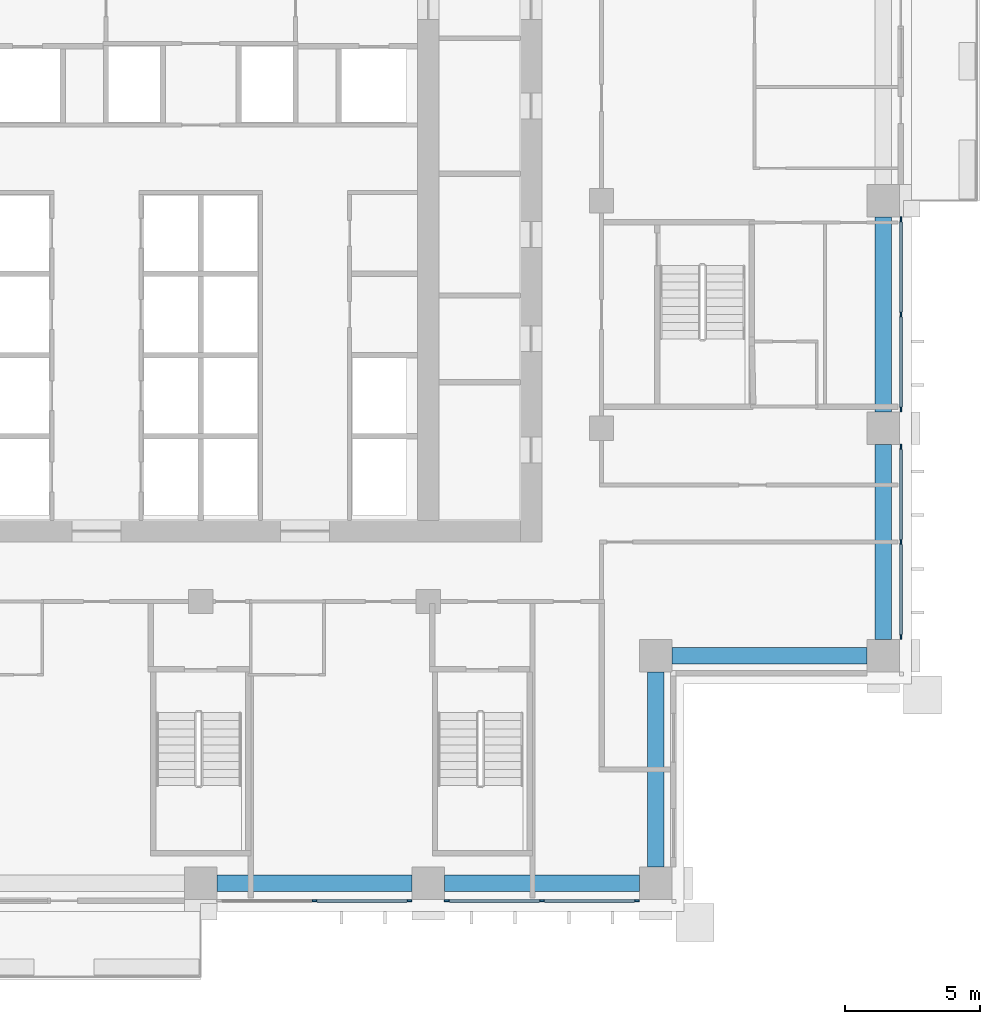
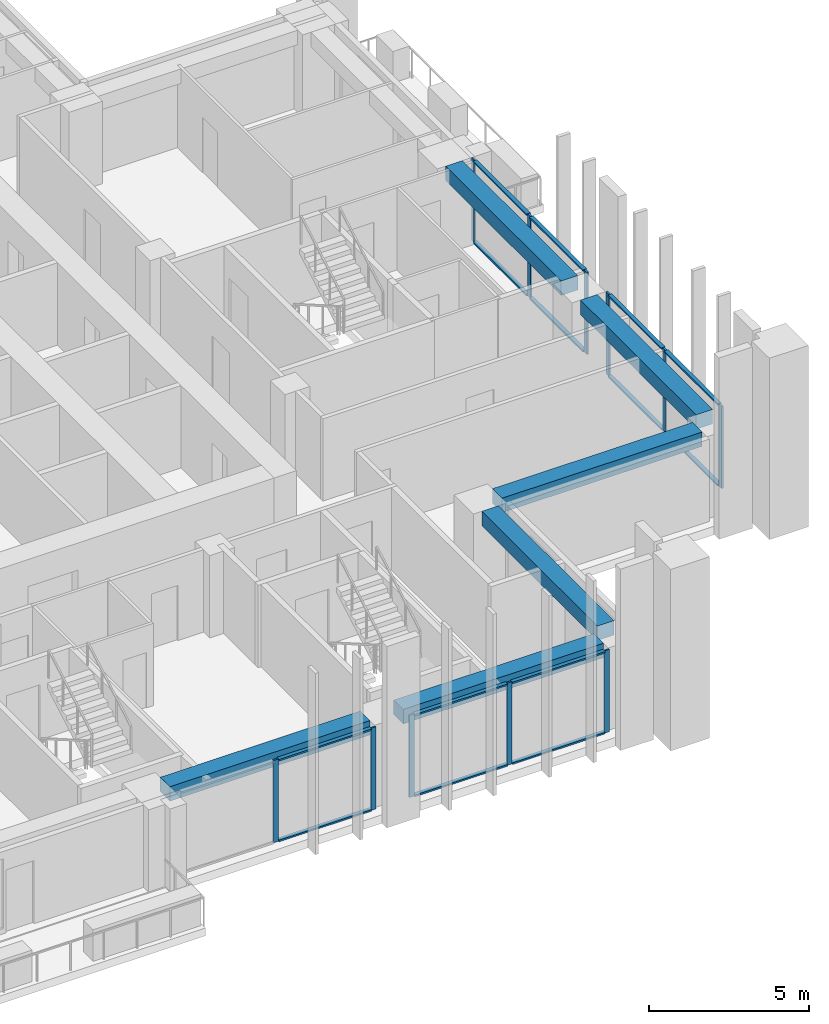
# One storey, part 4 of 17: 25 members, 6 beams, 4 elements without a shape of their own.
"""IFC4 building model written with IfcOpenShell, lengths in metres."""

from ifc_helpers import new_model, si_unit, direction, frame, origin, origin_2d, place, context, subcontext, project, spatial, rectangle, extrude, material, material_profile, profile_set, type_object, element, aggregate, save


model = new_model("IFC4")

# Units and contexts
model_context = context("Model", 3, precision=1e-05, world=origin(), true_north=direction((0.0, 1.0)))
body_context = subcontext(model_context, "Body", "Model", "MODEL_VIEW")
ifc_project = project(units=[si_unit("LENGTHUNIT", "METRE"), si_unit("AREAUNIT", "SQUARE_METRE"), si_unit("VOLUMEUNIT", "CUBIC_METRE"), si_unit("PLANEANGLEUNIT", "RADIAN"), si_unit("MASSUNIT", "GRAM", prefix="KILO")], contexts=[model_context])

# Site, building, storey
site_placement = place(None, origin())
site = spatial("IfcSite", under=ifc_project, at=site_placement, CompositionType="ELEMENT")
building_placement = place(site_placement, origin())
building = spatial("IfcBuilding", under=site, at=building_placement, Name="Vermilion Ogive Tower", CompositionType="ELEMENT")
storey_placement = place(building_placement, frame((0.0, 0.0, 111.449951171875)))
storey = spatial("IfcBuildingStorey", under=building, at=storey_placement, Name="L28", CompositionType="ELEMENT", Elevation=111.449951171875)

# Curtain wall, members
ifc_material_1 = material(Name="Low-iron laminated glazing in aluminium frame", Category="aluminium")
curtain_wall_type = type_object("IfcCurtainWallType", Name="Curtain wall CW7", PredefinedType="NOTDEFINED", material=ifc_material_1)
curtain_wall_1_placement = place(storey_placement, origin())
curtain_wall_1 = element("IfcCurtainWall", 1, at=curtain_wall_1_placement, inside=storey, type_object=curtain_wall_type, Name="Glazed skin S3", PredefinedType="NOTDEFINED")
ifc_material_2 = material(Name="Aluminium mullion", Category="aluminium")
ifc_material_profile_1 = material_profile(ifc_material_2, rectangle(XDim=0.06005859375, YDim=0.179931640625, at=origin_2d()), Name="AL 60x180")
ifc_profile_set_1 = profile_set([ifc_material_profile_1], Name="Aluminium mullion")
member_type_1 = type_object("IfcMemberType", Name="CW7 mullion 60x180", PredefinedType="MULLION", material=ifc_profile_set_1)
member_1_placement = place(storey_placement, frame((4.199951171875, -21.64990234375, 0.0), z_axis=(0.0, 0.0, 1.0), x_axis=(0.0, 1.0, 0.0)))
member_1 = element("IfcMember", 2, at=member_1_placement, type_object=member_type_1, Name="CW7-S3 mullion 2", PredefinedType="MULLION", context=body_context, shape_type="SweptSolid", body=[
    extrude(rectangle(XDim=0.06005859375, YDim=0.179931640625, at=origin_2d()), origin(), (0.0, 0.0, 1.0), 3.130126953125),
])
member_2_placement = place(storey_placement, frame((7.7099609375, -21.64990234375, 0.0), z_axis=(0.0, 0.0, 1.0), x_axis=(0.0, 1.0, 0.0)))
member_2 = element("IfcMember", 3, at=member_2_placement, type_object=member_type_1, Name="CW7-S3 mullion 3", PredefinedType="MULLION", context=body_context, shape_type="SweptSolid", body=[
    extrude(rectangle(XDim=0.06005859375, YDim=0.179931640625, at=origin_2d()), origin(), (0.0, 0.0, 1.0), 3.130126953125),
])

curtain_wall_2_placement = place(storey_placement, origin())
curtain_wall_2 = element("IfcCurtainWall", 4, at=curtain_wall_2_placement, inside=storey, type_object=curtain_wall_type, Name="Glazed skin S4", PredefinedType="NOTDEFINED")
member_3_placement = place(storey_placement, frame((9.090087890625, -21.64990234375, 0.0), z_axis=(0.0, 0.0, 1.0), x_axis=(0.0, 1.0, 0.0)))
member_3 = element("IfcMember", 5, at=member_3_placement, type_object=member_type_1, Name="CW7-S4 mullion 1", PredefinedType="MULLION", context=body_context, shape_type="SweptSolid", body=[
    extrude(rectangle(XDim=0.06005859375, YDim=0.179931640625, at=origin_2d()), origin(), (0.0, 0.0, 1.0), 3.130126953125),
])
member_4_placement = place(storey_placement, frame((12.60009765625, -21.64990234375, 0.0), z_axis=(0.0, 0.0, 1.0), x_axis=(0.0, 1.0, 0.0)))
member_4 = element("IfcMember", 6, at=member_4_placement, type_object=member_type_1, Name="CW7-S4 mullion 2", PredefinedType="MULLION", context=body_context, shape_type="SweptSolid", body=[
    extrude(rectangle(XDim=0.06005859375, YDim=0.179931640625, at=origin_2d()), origin(), (0.0, 0.0, 1.0), 3.130126953125),
])
member_5_placement = place(storey_placement, frame((16.110107421875, -21.64990234375, 0.0), z_axis=(0.0, 0.0, 1.0), x_axis=(0.0, 1.0, 0.0)))
member_5 = element("IfcMember", 7, at=member_5_placement, type_object=member_type_1, Name="CW7-S4 mullion 3", PredefinedType="MULLION", context=body_context, shape_type="SweptSolid", body=[
    extrude(rectangle(XDim=0.06005859375, YDim=0.179931640625, at=origin_2d()), origin(), (0.0, 0.0, 1.0), 3.130126953125),
])

curtain_wall_3_placement = place(storey_placement, origin())
curtain_wall_3 = element("IfcCurtainWall", 8, at=curtain_wall_3_placement, inside=storey, type_object=curtain_wall_type, Name="Glazed skin E1", PredefinedType="NOTDEFINED")
member_6_placement = place(storey_placement, frame((25.85009765625, -11.909912109375, 0.0), z_axis=(0.0, 0.0, 1.0), x_axis=(-1.0, 0.0, 0.0)))
member_6 = element("IfcMember", 9, at=member_6_placement, type_object=member_type_1, Name="CW7-E1 mullion 1", PredefinedType="MULLION", context=body_context, shape_type="SweptSolid", body=[
    extrude(rectangle(XDim=0.06005859375, YDim=0.179931640625, at=origin_2d()), origin(), (0.0, 0.0, 1.0), 3.130126953125),
])
member_7_placement = place(storey_placement, frame((25.85009765625, -8.39990234375, 0.0), z_axis=(0.0, 0.0, 1.0), x_axis=(-1.0, 0.0, 0.0)))
member_7 = element("IfcMember", 10, at=member_7_placement, type_object=member_type_1, Name="CW7-E1 mullion 2", PredefinedType="MULLION", context=body_context, shape_type="SweptSolid", body=[
    extrude(rectangle(XDim=0.06005859375, YDim=0.179931640625, at=origin_2d()), origin(), (0.0, 0.0, 1.0), 3.130126953125),
])
member_8_placement = place(storey_placement, frame((25.85009765625, -4.889892578125, 0.0), z_axis=(0.0, 0.0, 1.0), x_axis=(-1.0, 0.0, 0.0)))
member_8 = element("IfcMember", 11, at=member_8_placement, type_object=member_type_1, Name="CW7-E1 mullion 3", PredefinedType="MULLION", context=body_context, shape_type="SweptSolid", body=[
    extrude(rectangle(XDim=0.06005859375, YDim=0.179931640625, at=origin_2d()), origin(), (0.0, 0.0, 1.0), 3.130126953125),
])

curtain_wall_4_placement = place(storey_placement, origin())
curtain_wall_4 = element("IfcCurtainWall", 12, at=curtain_wall_4_placement, inside=storey, type_object=curtain_wall_type, Name="Glazed skin E2", PredefinedType="NOTDEFINED")
member_9_placement = place(storey_placement, frame((25.85009765625, -3.510009765625, 0.0), z_axis=(0.0, 0.0, 1.0), x_axis=(-1.0, 0.0, 0.0)))
member_9 = element("IfcMember", 13, at=member_9_placement, type_object=member_type_1, Name="CW7-E2 mullion 1", PredefinedType="MULLION", context=body_context, shape_type="SweptSolid", body=[
    extrude(rectangle(XDim=0.06005859375, YDim=0.179931640625, at=origin_2d()), origin(), (0.0, 0.0, 1.0), 3.130126953125),
])
member_10_placement = place(storey_placement, frame((25.85009765625, 0.0, 0.0), z_axis=(0.0, 0.0, 1.0), x_axis=(-1.0, 0.0, 0.0)))
member_10 = element("IfcMember", 14, at=member_10_placement, type_object=member_type_1, Name="CW7-E2 mullion 2", PredefinedType="MULLION", context=body_context, shape_type="SweptSolid", body=[
    extrude(rectangle(XDim=0.06005859375, YDim=0.179931640625, at=origin_2d()), origin(), (0.0, 0.0, 1.0), 3.130126953125),
])
member_11_placement = place(storey_placement, frame((25.85009765625, 3.510009765625, 0.0), z_axis=(0.0, 0.0, 1.0), x_axis=(-1.0, 0.0, 0.0)))
member_11 = element("IfcMember", 15, at=member_11_placement, type_object=member_type_1, Name="CW7-E2 mullion 3", PredefinedType="MULLION", context=body_context, shape_type="SweptSolid", body=[
    extrude(rectangle(XDim=0.06005859375, YDim=0.179931640625, at=origin_2d()), origin(), (0.0, 0.0, 1.0), 3.130126953125),
])

# Member
ifc_material_3 = material(Name="Aluminium transom", Category="aluminium")
ifc_material_profile_2 = material_profile(ifc_material_3, rectangle(XDim=0.139892578125, YDim=0.06005859375, at=origin_2d()), Name="AL 60x140")
ifc_profile_set_2 = profile_set([ifc_material_profile_2], Name="Aluminium transom")
member_type_2 = type_object("IfcMemberType", Name="CW7 transom 60x140", PredefinedType="USERDEFINED", material=ifc_profile_set_2)
member_12_placement = place(storey_placement, frame((4.2900390625, -21.64990234375, 0.030029296875), z_axis=(1.0, 0.0, 0.0), x_axis=(0.0, 1.0, 0.0)))
member_12 = element("IfcMember", 16, at=member_12_placement, type_object=member_type_2, Name="CW7-S3 transom 2.1", ObjectType="TRANSOM", PredefinedType="USERDEFINED", context=body_context, shape_type="SweptSolid", body=[
    extrude(rectangle(XDim=0.139892578125, YDim=0.06005859375, at=origin_2d()), origin(), (0.0, 0.0, 1.0), 3.330078125),
])

member_13_placement = place(storey_placement, frame((4.2900390625, -21.64990234375, 3.10009765625), z_axis=(1.0, 0.0, 0.0), x_axis=(0.0, 1.0, 0.0)))
member_13 = element("IfcMember", 17, at=member_13_placement, type_object=member_type_2, Name="CW7-S3 transom 2.2", ObjectType="TRANSOM", PredefinedType="USERDEFINED", context=body_context, shape_type="SweptSolid", body=[
    extrude(rectangle(XDim=0.139892578125, YDim=0.06005859375, at=origin_2d()), origin(), (0.0, 0.0, 1.0), 3.330078125),
])

aggregate(curtain_wall_1, [member_1, member_2, member_12, member_13])

member_14_placement = place(storey_placement, frame((9.179931640625, -21.64990234375, 0.030029296875), z_axis=(1.0, 0.0, 0.0), x_axis=(0.0, 1.0, 0.0)))
member_14 = element("IfcMember", 18, at=member_14_placement, type_object=member_type_2, Name="CW7-S4 transom 1.1", ObjectType="TRANSOM", PredefinedType="USERDEFINED", context=body_context, shape_type="SweptSolid", body=[
    extrude(rectangle(XDim=0.139892578125, YDim=0.06005859375, at=origin_2d()), origin(), (0.0, 0.0, 1.0), 3.330078125),
])

member_15_placement = place(storey_placement, frame((9.179931640625, -21.64990234375, 3.10009765625), z_axis=(1.0, 0.0, 0.0), x_axis=(0.0, 1.0, 0.0)))
member_15 = element("IfcMember", 19, at=member_15_placement, type_object=member_type_2, Name="CW7-S4 transom 1.2", ObjectType="TRANSOM", PredefinedType="USERDEFINED", context=body_context, shape_type="SweptSolid", body=[
    extrude(rectangle(XDim=0.139892578125, YDim=0.06005859375, at=origin_2d()), origin(), (0.0, 0.0, 1.0), 3.330078125),
])

member_16_placement = place(storey_placement, frame((12.68994140625, -21.64990234375, 0.030029296875), z_axis=(1.0, 0.0, 0.0), x_axis=(0.0, 1.0, 0.0)))
member_16 = element("IfcMember", 20, at=member_16_placement, type_object=member_type_2, Name="CW7-S4 transom 2.1", ObjectType="TRANSOM", PredefinedType="USERDEFINED", context=body_context, shape_type="SweptSolid", body=[
    extrude(rectangle(XDim=0.139892578125, YDim=0.06005859375, at=origin_2d()), origin(), (0.0, 0.0, 1.0), 3.330078125),
])

member_17_placement = place(storey_placement, frame((12.68994140625, -21.64990234375, 3.10009765625), z_axis=(1.0, 0.0, 0.0), x_axis=(0.0, 1.0, 0.0)))
member_17 = element("IfcMember", 21, at=member_17_placement, type_object=member_type_2, Name="CW7-S4 transom 2.2", ObjectType="TRANSOM", PredefinedType="USERDEFINED", context=body_context, shape_type="SweptSolid", body=[
    extrude(rectangle(XDim=0.139892578125, YDim=0.06005859375, at=origin_2d()), origin(), (0.0, 0.0, 1.0), 3.330078125),
])

aggregate(curtain_wall_2, [member_3, member_4, member_5, member_14, member_15, member_16, member_17])

member_18_placement = place(storey_placement, frame((25.85009765625, -11.820068359375, 0.030029296875), z_axis=(0.0, 1.0, 0.0), x_axis=(-1.0, 0.0, 0.0)))
member_18 = element("IfcMember", 22, at=member_18_placement, type_object=member_type_2, Name="CW7-E1 transom 1.1", ObjectType="TRANSOM", PredefinedType="USERDEFINED", context=body_context, shape_type="SweptSolid", body=[
    extrude(rectangle(XDim=0.139892578125, YDim=0.06005859375, at=origin_2d()), origin(), (0.0, 0.0, 1.0), 3.330078125),
])

member_19_placement = place(storey_placement, frame((25.85009765625, -11.820068359375, 3.10009765625), z_axis=(0.0, 1.0, 0.0), x_axis=(-1.0, 0.0, 0.0)))
member_19 = element("IfcMember", 23, at=member_19_placement, type_object=member_type_2, Name="CW7-E1 transom 1.2", ObjectType="TRANSOM", PredefinedType="USERDEFINED", context=body_context, shape_type="SweptSolid", body=[
    extrude(rectangle(XDim=0.139892578125, YDim=0.06005859375, at=origin_2d()), origin(), (0.0, 0.0, 1.0), 3.330078125),
])

member_20_placement = place(storey_placement, frame((25.85009765625, -8.31005859375, 0.030029296875), z_axis=(0.0, 1.0, 0.0), x_axis=(-1.0, 0.0, 0.0)))
member_20 = element("IfcMember", 24, at=member_20_placement, type_object=member_type_2, Name="CW7-E1 transom 2.1", ObjectType="TRANSOM", PredefinedType="USERDEFINED", context=body_context, shape_type="SweptSolid", body=[
    extrude(rectangle(XDim=0.139892578125, YDim=0.06005859375, at=origin_2d()), origin(), (0.0, 0.0, 1.0), 3.330078125),
])

member_21_placement = place(storey_placement, frame((25.85009765625, -8.31005859375, 3.10009765625), z_axis=(0.0, 1.0, 0.0), x_axis=(-1.0, 0.0, 0.0)))
member_21 = element("IfcMember", 25, at=member_21_placement, type_object=member_type_2, Name="CW7-E1 transom 2.2", ObjectType="TRANSOM", PredefinedType="USERDEFINED", context=body_context, shape_type="SweptSolid", body=[
    extrude(rectangle(XDim=0.139892578125, YDim=0.06005859375, at=origin_2d()), origin(), (0.0, 0.0, 1.0), 3.330078125),
])

aggregate(curtain_wall_3, [member_6, member_7, member_8, member_18, member_19, member_20, member_21])

member_22_placement = place(storey_placement, frame((25.85009765625, -3.419921875, 0.030029296875), z_axis=(0.0, 1.0, 0.0), x_axis=(-1.0, 0.0, 0.0)))
member_22 = element("IfcMember", 26, at=member_22_placement, type_object=member_type_2, Name="CW7-E2 transom 1.1", ObjectType="TRANSOM", PredefinedType="USERDEFINED", context=body_context, shape_type="SweptSolid", body=[
    extrude(rectangle(XDim=0.139892578125, YDim=0.06005859375, at=origin_2d()), origin(), (0.0, 0.0, 1.0), 3.329833984375),
])

member_23_placement = place(storey_placement, frame((25.85009765625, -3.419921875, 3.10009765625), z_axis=(0.0, 1.0, 0.0), x_axis=(-1.0, 0.0, 0.0)))
member_23 = element("IfcMember", 27, at=member_23_placement, type_object=member_type_2, Name="CW7-E2 transom 1.2", ObjectType="TRANSOM", PredefinedType="USERDEFINED", context=body_context, shape_type="SweptSolid", body=[
    extrude(rectangle(XDim=0.139892578125, YDim=0.06005859375, at=origin_2d()), origin(), (0.0, 0.0, 1.0), 3.329833984375),
])

member_24_placement = place(storey_placement, frame((25.85009765625, 0.090087890625, 0.030029296875), z_axis=(0.0, 1.0, 0.0), x_axis=(-1.0, 0.0, 0.0)))
member_24 = element("IfcMember", 28, at=member_24_placement, type_object=member_type_2, Name="CW7-E2 transom 2.1", ObjectType="TRANSOM", PredefinedType="USERDEFINED", context=body_context, shape_type="SweptSolid", body=[
    extrude(rectangle(XDim=0.139892578125, YDim=0.06005859375, at=origin_2d()), origin(), (0.0, 0.0, 1.0), 3.329833984375),
])

member_25_placement = place(storey_placement, frame((25.85009765625, 0.090087890625, 3.10009765625), z_axis=(0.0, 1.0, 0.0), x_axis=(-1.0, 0.0, 0.0)))
member_25 = element("IfcMember", 29, at=member_25_placement, type_object=member_type_2, Name="CW7-E2 transom 2.2", ObjectType="TRANSOM", PredefinedType="USERDEFINED", context=body_context, shape_type="SweptSolid", body=[
    extrude(rectangle(XDim=0.139892578125, YDim=0.06005859375, at=origin_2d()), origin(), (0.0, 0.0, 1.0), 3.329833984375),
])

aggregate(curtain_wall_4, [member_9, member_10, member_11, member_22, member_23, member_24, member_25])

# Beams
ifc_material_4 = material(Name="Concrete B45", Category="concrete")
ifc_material_profile_3 = material_profile(ifc_material_4, rectangle(XDim=0.60009765625, YDim=0.550048828125, at=origin_2d()), Name="600 x 550")
ifc_profile_set_3 = profile_set([ifc_material_profile_3], Name="Concrete B45")
beam_type = type_object("IfcBeamType", Name="Edge beam 600 x 550 B45", PredefinedType="BEAM", material=ifc_profile_set_3)
for number, where, z_axis, x_axis, name in (
    (30, (0.60009765625, -21.0, 2.85498046875), (1.0, 0.0, 0.0), (0.0, 1.0, 0.0), "L28-EB-3"),
    (31, (9.0, -21.0, 2.85498046875), (1.0, 0.0, 0.0), (0.0, 1.0, 0.0), "L28-EB-4"),
    (32, (16.800048828125, -20.39990234375, 2.85498046875), (0.0, 1.0, 0.0), (-1.0, 0.0, 0.0), "L28-EB-5"),
):
    element("IfcBeam", number, at=place(storey_placement, frame(where, z_axis=z_axis, x_axis=x_axis)), inside=storey, type_object=beam_type, Name=name, PredefinedType="BEAM", context=body_context, shape_type="SweptSolid", body=[
        extrude(rectangle(XDim=0.60009765625, YDim=0.550048828125, at=origin_2d()), origin(), (0.0, 0.0, 1.0), 7.199951171875),
    ])
beam_1_placement = place(storey_placement, frame((17.39990234375, -12.60009765625, 2.85498046875), z_axis=(1.0, 0.0, 0.0), x_axis=(0.0, 1.0, 0.0)))
element("IfcBeam", 33, at=beam_1_placement, inside=storey, type_object=beam_type, Name="L28-EB-6", PredefinedType="BEAM", context=body_context, shape_type="SweptSolid", body=[
    extrude(rectangle(XDim=0.60009765625, YDim=0.550048828125, at=origin_2d()), origin(), (0.0, 0.0, 1.0), 7.2001953125),
])
beam_2_placement = place(storey_placement, frame((25.199951171875, -12.0, 2.85498046875), z_axis=(0.0, 1.0, 0.0), x_axis=(-1.0, 0.0, 0.0)))
element("IfcBeam", 34, at=beam_2_placement, inside=storey, type_object=beam_type, Name="L28-EB-7", PredefinedType="BEAM", context=body_context, shape_type="SweptSolid", body=[
    extrude(rectangle(XDim=0.60009765625, YDim=0.550048828125, at=origin_2d()), origin(), (0.0, 0.0, 1.0), 7.199951171875),
])
beam_3_placement = place(storey_placement, frame((25.199951171875, -3.60009765625, 2.85498046875), z_axis=(0.0, 1.0, 0.0), x_axis=(-1.0, 0.0, 0.0)))
element("IfcBeam", 35, at=beam_3_placement, inside=storey, type_object=beam_type, Name="L28-EB-8", PredefinedType="BEAM", context=body_context, shape_type="SweptSolid", body=[
    extrude(rectangle(XDim=0.60009765625, YDim=0.550048828125, at=origin_2d()), origin(), (0.0, 0.0, 1.0), 7.2001953125),
])

save(model, "model.ifc")
